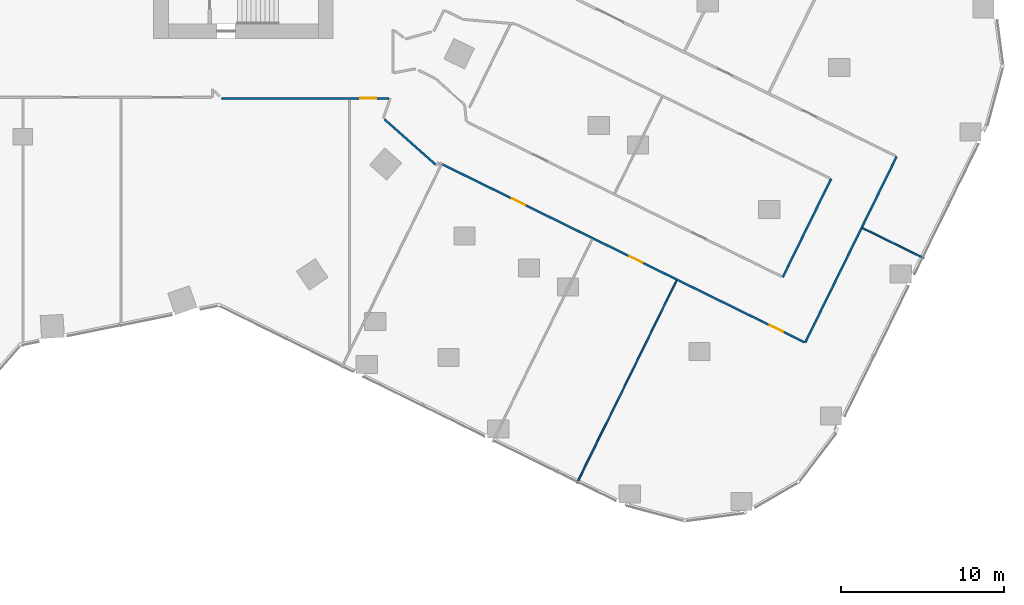
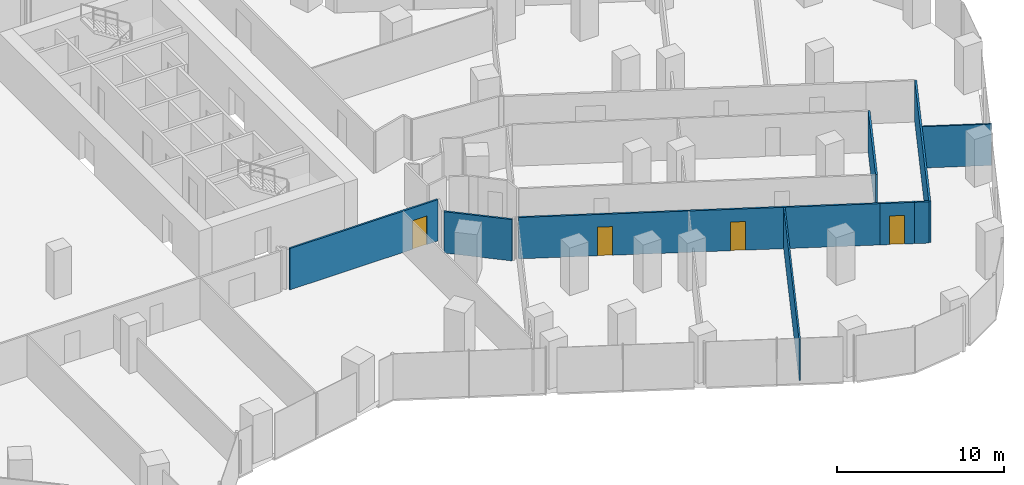
# One storey, part 29 of 38: 9 walls, 4 doors, 4 openings.
"""IFC4 building model written with IfcOpenShell, lengths in metres."""

from ifc_helpers import new_model, si_unit, direction, frame, frame_2d, origin, place, context, subcontext, project, spatial, rectangle, extrude, material, layer, layer_set, type_object, element, fill, save


model = new_model("IFC4")

# Units and contexts
model_context = context("Model", 3, precision=1e-05, world=origin(), true_north=direction((0.0, 1.0)))
body_context = subcontext(model_context, "Body", "Model", "MODEL_VIEW")
ifc_project = project(units=[si_unit("LENGTHUNIT", "METRE"), si_unit("AREAUNIT", "SQUARE_METRE"), si_unit("VOLUMEUNIT", "CUBIC_METRE"), si_unit("PLANEANGLEUNIT", "RADIAN"), si_unit("MASSUNIT", "GRAM", prefix="KILO")], contexts=[model_context])

# Site, building, storey
site_placement = place(None, origin())
site = spatial("IfcSite", under=ifc_project, at=site_placement, CompositionType="ELEMENT")
building_placement = place(site_placement, origin())
building = spatial("IfcBuilding", under=site, at=building_placement, Name="Orlundy Tower", CompositionType="ELEMENT")
storey_placement = place(building_placement, frame((0.0, 0.0, 69.300048828125)))
storey = spatial("IfcBuildingStorey", under=building, at=storey_placement, Name="L16", CompositionType="ELEMENT", Elevation=69.300048828125)

# Walls
ifc_material_1 = material(Name="Gypsum board partition")
ifc_layer_1 = layer(ifc_material_1, 0.10009765625)
ifc_layer_set_1 = layer_set([ifc_layer_1], Name="Floor partition 100")
wall_type_1 = type_object("IfcWallType", Name="Floor partition 100", PredefinedType="PARTITIONING", material=ifc_layer_set_1)
wall_1_placement = place(storey_placement, frame((51.427001953125, -23.597900390625, 0.0), z_axis=(0.0, 0.0, 1.0), x_axis=(0.897542181512, -0.44092860239, 0.0)))
element("IfcWall", 1, at=wall_1_placement, inside=storey, type_object=wall_type_1, Name="wall-int-L16-030", PredefinedType="PARTITIONING", context=body_context, shape_type="SweptSolid", body=[
    extrude(rectangle(XDim=4.18701171875, YDim=0.10009765625, at=frame_2d((2.093505859375, 0.0))), origin(), (0.0, 0.0, 1.0), 3.030029296875),
])
wall_2_placement = place(storey_placement, frame((33.926025390625, -39.22998046875, 0.0), z_axis=(0.0, 0.0, 1.0), x_axis=(0.441020089077, 0.897497231768, 0.0)))
element("IfcWall", 2, at=wall_2_placement, inside=storey, type_object=wall_type_1, Name="wall-int-L16-072", PredefinedType="PARTITIONING", context=body_context, shape_type="SweptSolid", body=[
    extrude(rectangle(XDim=13.836181640625, YDim=0.10009765625, at=frame_2d((6.91796875, 0.0))), origin(), (0.0, 0.0, 1.0), 3.030029296875),
])
ifc_material_2 = material(Name="Gypsum board partition, double layer")
ifc_layer_2 = layer(ifc_material_2, 0.125)
ifc_layer_set_2 = layer_set([ifc_layer_2], Name="Floor partition 125")
wall_type_2 = type_object("IfcWallType", Name="Floor partition 125", PredefinedType="PARTITIONING", material=ifc_layer_set_2)
wall_3_placement = place(storey_placement, frame((22.138916015625, -16.93603515625, 0.0), z_axis=(0.0, 0.0, 1.0), x_axis=(0.748665235529, -0.662948237127, 0.0)))
element("IfcWall", 3, at=wall_3_placement, inside=storey, type_object=wall_type_2, Name="wall-int-L16-010", PredefinedType="PARTITIONING", context=body_context, shape_type="SweptSolid", body=[
    extrude(rectangle(XDim=4.17822265625, YDim=0.125, at=frame_2d((2.089111328125, 0.0))), origin(), (0.0, 0.0, 1.0), 3.030029296875),
])

# Wall, openings, doors
wall_4_placement = place(storey_placement, frame((45.217041015625, -29.2919921875, 0.0), z_axis=(0.0, 0.0, 1.0), x_axis=(-0.897531499345, 0.440950346053, 0.0)))
wall_4 = element("IfcWall", 4, at=wall_4_placement, inside=storey, type_object=wall_type_2, Name="wall-int-L16-026", PredefinedType="PARTITIONING", context=body_context, shape_type="SweptSolid", body=[
    extrude(rectangle(XDim=21.757568359375, YDim=0.125, at=frame_2d((10.87890625, 0.0))), origin(), (0.0, 0.0, 1.0), 3.030029296875),
])
opening_1_placement = place(wall_4_placement, frame((8.100830078125, 0.0, 0.0)))
opening_1 = element("IfcOpeningElement", 5, at=opening_1_placement, cuts=wall_4, Name="Opening 14102", PredefinedType="OPENING", context=body_context, shape_type="SweptSolid", body=[
    extrude(rectangle(XDim=0.89990234375, YDim=2.10009765625, at=frame_2d((0.449951171875, 1.050048828125))), frame((0.0, 0.072509765625, 0.0), z_axis=(0.0, -1.0, 0.0), x_axis=(1.0, 0.0, 0.0)), (0.0, 0.0, 1.0), 0.14501953125),
])
opening_2_placement = place(wall_4_placement, frame((16.100830078125, 0.0, 0.0)))
opening_2 = element("IfcOpeningElement", 6, at=opening_2_placement, cuts=wall_4, Name="Opening 14108", PredefinedType="OPENING", context=body_context, shape_type="SweptSolid", body=[
    extrude(rectangle(XDim=0.89990234375, YDim=2.10009765625, at=frame_2d((0.449951171875, 1.050048828125))), frame((0.0, 0.072509765625, 0.0), z_axis=(0.0, -1.0, 0.0), x_axis=(1.0, 0.0, 0.0)), (0.0, 0.0, 1.0), 0.14501953125),
])
ifc_material_3 = material(Name="Timber door leaf", Category="wood")
door_type_1 = type_object("IfcDoorType", Name="Floor door single 900 FD30S", OperationType="NOTDEFINED", PredefinedType="DOOR", material=ifc_material_3)
door_1_placement = place(opening_1_placement, origin())
door_1 = element("IfcDoor", 7, at=door_1_placement, inside=storey, type_object=door_type_1, Name="Door 14102", OperationType="SINGLE_SWING_LEFT", OverallHeight=2.10009765625, OverallWidth=0.89990234375, PredefinedType="DOOR", context=body_context, shape_type="SweptSolid", body=[
    extrude(rectangle(XDim=0.89990234375, YDim=2.10009765625, at=frame_2d((0.449951171875, 1.050048828125))), frame((0.0, 0.02490234375, 0.0), z_axis=(0.0, -1.0, 0.0), x_axis=(1.0, 0.0, 0.0)), (0.0, 0.0, 1.0), 0.050048828125),
])
fill(opening_1, door_1)
door_2_placement = place(opening_2_placement, origin())
door_2 = element("IfcDoor", 8, at=door_2_placement, inside=storey, type_object=door_type_1, Name="Door 14108", OperationType="SINGLE_SWING_RIGHT", OverallHeight=2.10009765625, OverallWidth=0.89990234375, PredefinedType="DOOR", context=body_context, shape_type="SweptSolid", body=[
    extrude(rectangle(XDim=0.89990234375, YDim=2.10009765625, at=frame_2d((0.449951171875, 1.050048828125))), frame((0.0, 0.02490234375, 0.0), z_axis=(0.0, -1.0, 0.0), x_axis=(1.0, 0.0, 0.0)), (0.0, 0.0, 1.0), 0.050048828125),
])
fill(opening_2, door_2)

# Wall, opening, door
wall_5_placement = place(storey_placement, frame((47.0830078125, -30.2099609375, 0.0), z_axis=(0.0, 0.0, 1.0), x_axis=(-0.897296606975, 0.44142813584, 0.0)))
wall_5 = element("IfcWall", 9, at=wall_5_placement, inside=storey, type_object=wall_type_2, Name="wall-int-L16-028", PredefinedType="PARTITIONING", context=body_context, shape_type="SweptSolid", body=[
    extrude(rectangle(XDim=2.07958984375, YDim=0.125, at=frame_2d((1.039794921875, 0.0))), origin(), (0.0, 0.0, 1.0), 3.030029296875),
])
opening_3_placement = place(wall_5_placement, frame((0.60009765625, 0.0, 0.0)))
opening_3 = element("IfcOpeningElement", 10, at=opening_3_placement, cuts=wall_5, Name="Opening 14107", PredefinedType="OPENING", context=body_context, shape_type="SweptSolid", body=[
    extrude(rectangle(XDim=0.89990234375, YDim=2.10009765625, at=frame_2d((0.449951171875, 1.050048828125))), frame((0.0, 0.072509765625, 0.0), z_axis=(0.0, -1.0, 0.0), x_axis=(1.0, 0.0, 0.0)), (0.0, 0.0, 1.0), 0.14501953125),
])
door_3_placement = place(opening_3_placement, origin())
door_3 = element("IfcDoor", 11, at=door_3_placement, inside=storey, type_object=door_type_1, Name="Door 14107", OperationType="SINGLE_SWING_RIGHT", OverallHeight=2.10009765625, OverallWidth=0.89990234375, PredefinedType="DOOR", context=body_context, shape_type="SweptSolid", body=[
    extrude(rectangle(XDim=0.89990234375, YDim=2.10009765625, at=frame_2d((0.449951171875, 1.050048828125))), frame((0.0, 0.02490234375, 0.0), z_axis=(0.0, -1.0, 0.0), x_axis=(1.0, 0.0, 0.0)), (0.0, 0.0, 1.0), 0.050048828125),
])
fill(opening_3, door_3)

# Wall
wall_6_placement = place(storey_placement, frame((47.0830078125, -30.2099609375, 0.0), z_axis=(0.0, 0.0, 1.0), x_axis=(0.898154517821, -0.43967995419, 0.0)))
element("IfcWall", 12, at=wall_6_placement, inside=storey, type_object=wall_type_2, Name="wall-int-L16-034", PredefinedType="PARTITIONING", context=body_context, shape_type="SweptSolid", body=[
    extrude(rectangle(XDim=0.857421875, YDim=0.125, at=frame_2d((0.4287109375, 0.0))), origin(), (0.0, 0.0, 1.0), 3.030029296875),
])

# Wall, opening, door
wall_7_placement = place(storey_placement, frame((22.412109375, -15.65087890625, 0.0), z_axis=(0.0, 0.0, 1.0), x_axis=(-1.0, 0.0, 0.0)))
wall_7 = element("IfcWall", 13, at=wall_7_placement, inside=storey, type_object=wall_type_2, Name="wall-int-L16-048", PredefinedType="PARTITIONING", context=body_context, shape_type="SweptSolid", body=[
    extrude(rectangle(XDim=10.252197265625, YDim=0.125, at=frame_2d((5.1259765625, 0.0))), origin(), (0.0, 0.0, 1.0), 3.030029296875),
])
opening_4_placement = place(wall_7_placement, frame((0.76171875, 0.0, 0.0)))
opening_4 = element("IfcOpeningElement", 14, at=opening_4_placement, cuts=wall_7, Name="Opening 14129", PredefinedType="OPENING", context=body_context, shape_type="SweptSolid", body=[
    extrude(rectangle(XDim=1.0, YDim=2.10009765625, at=frame_2d((0.5, 1.050048828125))), frame((0.0, 0.072509765625, 0.0), z_axis=(0.0, -1.0, 0.0), x_axis=(1.0, 0.0, 0.0)), (0.0, 0.0, 1.0), 0.14501953125),
])
ifc_material_4 = material(Name="Timber door leaf", Category="wood")
door_type_2 = type_object("IfcDoorType", Name="Floor door wide 1000 FD30S", OperationType="NOTDEFINED", PredefinedType="DOOR", material=ifc_material_4)
door_4_placement = place(opening_4_placement, origin())
door_4 = element("IfcDoor", 15, at=door_4_placement, inside=storey, type_object=door_type_2, Name="Door 14129", OperationType="SINGLE_SWING_LEFT", OverallHeight=2.10009765625, OverallWidth=1.0, PredefinedType="DOOR", context=body_context, shape_type="SweptSolid", body=[
    extrude(rectangle(XDim=1.0, YDim=2.10009765625, at=frame_2d((0.5, 1.050048828125))), frame((0.0, 0.02490234375, 0.0), z_axis=(0.0, -1.0, 0.0), x_axis=(1.0, 0.0, 0.0)), (0.0, 0.0, 1.0), 0.050048828125),
])
fill(opening_4, door_4)

# Walls
wall_8_placement = place(storey_placement, frame((47.909912109375, -30.614990234375, 0.0), z_axis=(0.0, 0.0, 1.0), x_axis=(0.441070796209, 0.897472313072, 0.0)))
element("IfcWall", 16, at=wall_8_placement, inside=storey, type_object=wall_type_2, Name="wall-int-L16-070", PredefinedType="PARTITIONING", context=body_context, shape_type="SweptSolid", body=[
    extrude(rectangle(XDim=12.692138671875, YDim=0.125, at=frame_2d((6.34619140625, 0.0))), origin(), (0.0, 0.0, 1.0), 3.030029296875),
])
wall_9_placement = place(storey_placement, frame((46.5390625, -26.59912109375, 0.0), z_axis=(0.0, 0.0, 1.0), x_axis=(0.441022842823, 0.897495878603, 0.0)))
element("IfcWall", 17, at=wall_9_placement, inside=storey, type_object=wall_type_2, Name="wall-int-L16-071", PredefinedType="PARTITIONING", context=body_context, shape_type="SweptSolid", body=[
    extrude(rectangle(XDim=6.699951171875, YDim=0.125, at=frame_2d((3.35009765625, 0.0))), origin(), (0.0, 0.0, 1.0), 3.030029296875),
])

save(model, "model.ifc")
